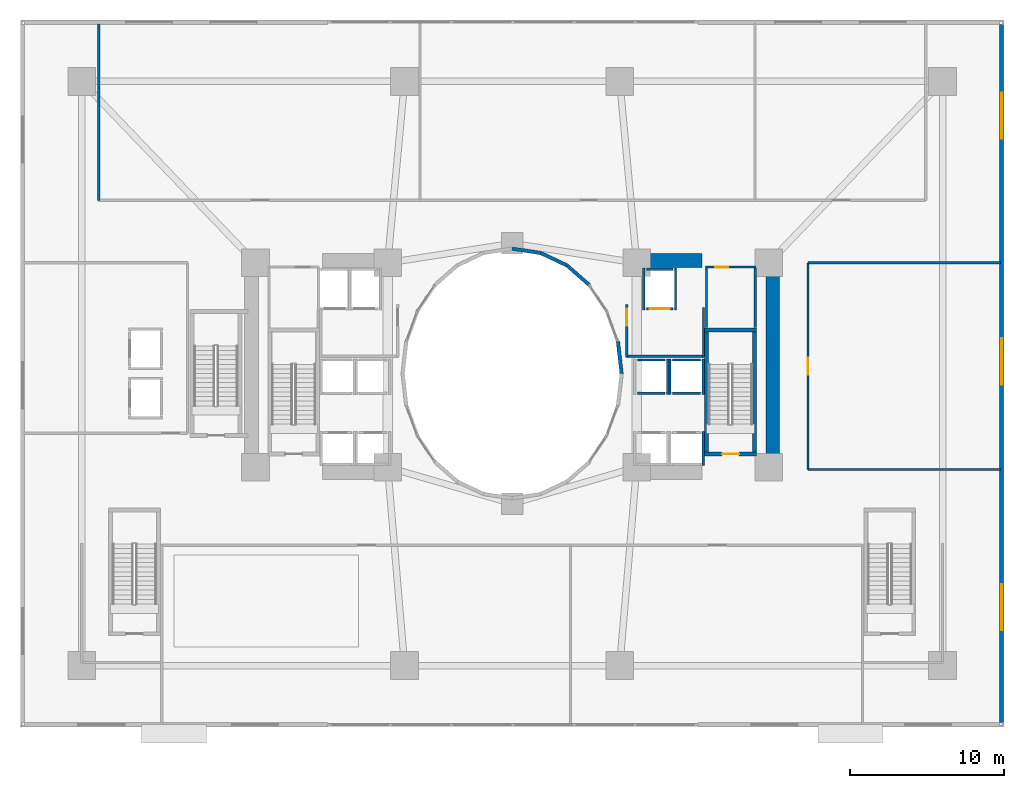
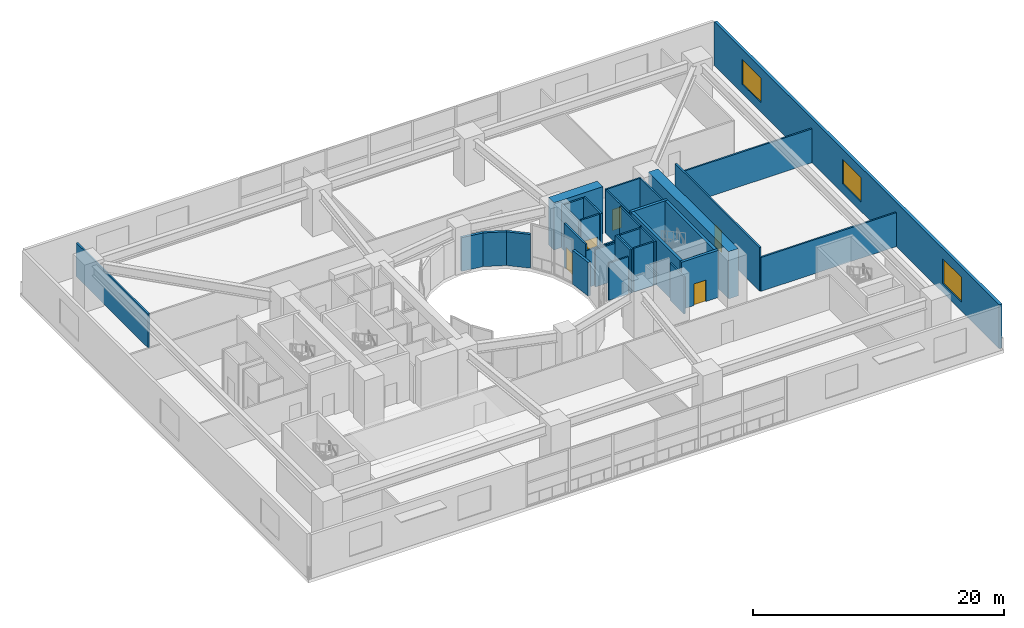
# One storey, part 17 of 25: 33 walls, 5 doors, 3 windows, 8 openings.
"""IFC4 building model written with IfcOpenShell, lengths in metres."""

from ifc_helpers import new_model, si_unit, direction, frame, frame_2d, origin, place, context, subcontext, project, spatial, rectangle, extrude, material, layer, layer_set, type_object, element, fill, save


model = new_model("IFC4")

# Units and contexts
model_context = context("Model", 3, precision=1e-05, world=origin(), true_north=direction((0.0, 1.0)))
body_context = subcontext(model_context, "Body", "Model", "MODEL_VIEW")
ifc_project = project(units=[si_unit("LENGTHUNIT", "METRE"), si_unit("AREAUNIT", "SQUARE_METRE"), si_unit("VOLUMEUNIT", "CUBIC_METRE"), si_unit("PLANEANGLEUNIT", "RADIAN"), si_unit("MASSUNIT", "GRAM", prefix="KILO")], contexts=[model_context])

# Site, building, storey
site_placement = place(None, origin())
site = spatial("IfcSite", under=ifc_project, at=site_placement, CompositionType="ELEMENT")
building_placement = place(site_placement, origin())
building = spatial("IfcBuilding", under=site, at=building_placement, Name="Solvane Sanctuary Tower", CompositionType="ELEMENT")
storey_placement = place(building_placement, frame((0.0, 0.0, 4.60009765625)))
storey = spatial("IfcBuildingStorey", under=building, at=storey_placement, Name="L02", CompositionType="ELEMENT", Elevation=4.60009765625)

# Walls
ifc_material_1 = material(Name="Concrete C70/85", Category="concrete")
ifc_layer_1 = layer(ifc_material_1, 0.89990234375, Name="Concrete C70/85")
ifc_layer_set_1 = layer_set([ifc_layer_1], Name="Concrete C70/85")
wall_type_1 = type_object("IfcWallType", Name="Wall W-CORE-900", PredefinedType="SHEAR", material=ifc_layer_set_1)
wall_1_placement = place(storey_placement, frame((48.949951171875, 17.050048828125, 0.0), z_axis=(0.0, 0.0, 1.0), x_axis=(0.0, 1.0, 0.0)))
element("IfcWall", 1, at=wall_1_placement, inside=storey, type_object=wall_type_1, Name="L02 Core Shear Wall EC-E", PredefinedType="SHEAR", context=body_context, shape_type="SweptSolid", body=[
    extrude(rectangle(XDim=12.800048828125, YDim=0.89990234375, at=frame_2d((6.39990234375, 0.0))), origin(), (0.0, 0.0, 1.0), 4.599853515625),
])
wall_2_placement = place(storey_placement, frame((39.85009765625, 30.35009765625, 0.0), z_axis=(0.0, 0.0, 1.0), x_axis=(1.0, 0.0, 0.0)))
element("IfcWall", 2, at=wall_2_placement, inside=storey, type_object=wall_type_1, Name="L02 Core Shear Wall EC-N", PredefinedType="SHEAR", context=body_context, shape_type="SweptSolid", body=[
    extrude(rectangle(XDim=4.5, YDim=0.89990234375, at=frame_2d((2.25, 0.0))), origin(), (0.0, 0.0, 1.0), 4.599853515625),
])
ifc_material_2 = material(Name="Acoustic Gypsum Partition Board")
ifc_layer_2 = layer(ifc_material_2, 0.14990234375, Name="Acoustic Gypsum Partition Board")
ifc_layer_set_2 = layer_set([ifc_layer_2], Name="Acoustic Gypsum Partition Board")
wall_type_2 = type_object("IfcWallType", Name="Wall W-CORR-150", PredefinedType="PARTITIONING", material=ifc_layer_set_2)
wall_3_placement = place(storey_placement, frame((39.39990234375, 24.1201171875, 0.0), z_axis=(0.0, 0.0, 1.0), x_axis=(1.0, 0.0, 0.0)))
element("IfcWall", 3, at=wall_3_placement, inside=storey, type_object=wall_type_2, Name="L02 East Firefighting Lobby South Wall", PredefinedType="PARTITIONING", context=body_context, shape_type="SweptSolid", body=[
    extrude(rectangle(XDim=5.080078125, YDim=0.14990234375, at=frame_2d((2.5400390625, 0.0))), origin(), (0.0, 0.0, 1.0), 3.619873046875),
])
wall_4_placement = place(storey_placement, frame((44.449951171875, 24.080078125, 0.0), z_axis=(0.0, 0.0, 1.0), x_axis=(0.0, 1.0, 0.0)))
element("IfcWall", 4, at=wall_4_placement, inside=storey, type_object=wall_type_2, Name="L02 East Firefighting Lobby East Wall", PredefinedType="PARTITIONING", context=body_context, shape_type="SweptSolid", body=[
    extrude(rectangle(XDim=3.199951171875, YDim=0.14990234375, at=frame_2d((1.60009765625, 0.0))), origin(), (0.0, 0.0, 1.0), 4.2548828125),
])

# Wall, opening, door
wall_5_placement = place(storey_placement, frame((39.449951171875, 24.080078125, 0.0), z_axis=(0.0, 0.0, 1.0), x_axis=(0.0, 1.0, 0.0)))
wall_5 = element("IfcWall", 5, at=wall_5_placement, inside=storey, type_object=wall_type_2, Name="L02 East Firefighting Lobby West Wall", PredefinedType="PARTITIONING", context=body_context, shape_type="SweptSolid", body=[
    extrude(rectangle(XDim=3.39990234375, YDim=0.14990234375, at=frame_2d((1.699951171875, 0.0))), origin(), (0.0, 0.0, 1.0), 4.2548828125),
])
opening_1_placement = place(wall_5_placement, frame((2.02001953125, 0.0, 0.0)))
opening_1 = element("IfcOpeningElement", 6, at=opening_1_placement, cuts=wall_5, Name="Opening D-L02-07", PredefinedType="OPENING", context=body_context, shape_type="SweptSolid", body=[
    extrude(rectangle(XDim=1.10009765625, YDim=2.10009765625, at=frame_2d((0.550048828125, 1.050048828125))), frame((0.0, 0.0849609375, 0.0), z_axis=(0.0, -1.0, 0.0), x_axis=(1.0, 0.0, 0.0)), (0.0, 0.0, 1.0), 0.169921875),
])
ifc_material_3 = material(Name="Architectural Stainless Steel 316", Category="steel")
door_type_1 = type_object("IfcDoorType", Name="Door D-FFL", OperationType="NOTDEFINED", PredefinedType="DOOR", material=ifc_material_3)
door_1_placement = place(opening_1_placement, origin())
door_1 = element("IfcDoor", 7, at=door_1_placement, inside=storey, type_object=door_type_1, Name="L02 East Firefighting Lobby Fire Door", OperationType="SINGLE_SWING_RIGHT", OverallHeight=2.10009765625, OverallWidth=1.10009765625, PredefinedType="DOOR", context=body_context, shape_type="SweptSolid", body=[
    extrude(rectangle(XDim=1.10009765625, YDim=2.10009765625, at=frame_2d((0.550048828125, 1.050048828125))), frame((0.0, 0.02490234375, 0.0), z_axis=(0.0, -1.0, 0.0), x_axis=(1.0, 0.0, 0.0)), (0.0, 0.0, 1.0), 0.050048828125),
])
fill(opening_1, door_1)

# Wall
wall_6_placement = place(storey_placement, frame((5.10009765625, 34.27001953125, 0.0), z_axis=(0.0, 0.0, 1.0), x_axis=(0.0, 1.0, 0.0)))
element("IfcWall", 8, at=wall_6_placement, inside=storey, type_object=wall_type_2, Name="L02 North Hall West Wall", PredefinedType="PARTITIONING", context=body_context, shape_type="SweptSolid", body=[
    extrude(rectangle(XDim=11.47998046875, YDim=0.14990234375, at=frame_2d((5.739990234375, 0.0))), origin(), (0.0, 0.0, 1.0), 3.2998046875),
])

# Wall, opening, door
wall_7_placement = place(storey_placement, frame((51.25, 16.75, 0.0), z_axis=(0.0, 0.0, 1.0), x_axis=(0.0, 1.0, 0.0)))
wall_7 = element("IfcWall", 9, at=wall_7_placement, inside=storey, type_object=wall_type_2, Name="L02 East Sanctuary Corridor Wall", PredefinedType="PARTITIONING", context=body_context, shape_type="SweptSolid", body=[
    extrude(rectangle(XDim=13.449951171875, YDim=0.14990234375, at=frame_2d((6.72509765625, 0.0))), origin(), (0.0, 0.0, 1.0), 4.2548828125),
])
opening_2_placement = place(wall_7_placement, frame((6.175048828125, 0.0, 0.0)))
opening_2 = element("IfcOpeningElement", 10, at=opening_2_placement, cuts=wall_7, Name="Opening D-L02-13", PredefinedType="OPENING", context=body_context, shape_type="SweptSolid", body=[
    extrude(rectangle(XDim=1.10009765625, YDim=2.10009765625, at=frame_2d((0.550048828125, 1.050048828125))), frame((0.0, 0.0849609375, 0.0), z_axis=(0.0, -1.0, 0.0), x_axis=(1.0, 0.0, 0.0)), (0.0, 0.0, 1.0), 0.169921875),
])
door_2_placement = place(opening_2_placement, origin())
door_2 = element("IfcDoor", 11, at=door_2_placement, inside=storey, type_object=door_type_1, Name="L02 IMAM Office Door", OperationType="SINGLE_SWING_RIGHT", OverallHeight=2.10009765625, OverallWidth=1.10009765625, PredefinedType="DOOR", context=body_context, shape_type="SweptSolid", body=[
    extrude(rectangle(XDim=1.10009765625, YDim=2.10009765625, at=frame_2d((0.550048828125, 1.050048828125))), frame((0.0, 0.02490234375, 0.0), z_axis=(0.0, -1.0, 0.0), x_axis=(1.0, 0.0, 0.0)), (0.0, 0.0, 1.0), 0.050048828125),
])
fill(opening_2, door_2)

# Walls
for number, where, z_axis, x_axis, name in (
    (12, (51.25, 16.75, 0.0), (0.0, 0.0, 1.0), (1.0, 0.0, 0.0), "L02 East Sanctuary South Wall"),
    (13, (51.25, 30.199951171875, 0.0), (0.0, 0.0, 1.0), (1.0, 0.0, 0.0), "L02 East Sanctuary North Wall"),
):
    element("IfcWall", number, at=place(storey_placement, frame(where, z_axis=z_axis, x_axis=x_axis)), inside=storey, type_object=wall_type_2, Name=name, PredefinedType="PARTITIONING", context=body_context, shape_type="SweptSolid", body=[
        extrude(rectangle(XDim=12.530029296875, YDim=0.14990234375, at=frame_2d((6.26513671875, 0.0))), origin(), (0.0, 0.0, 1.0), 3.2998046875),
    ])

# Wall, openings, windows
ifc_material_4 = material(Name="Precast concrete C40/50", Category="concrete")
ifc_layer_3 = layer(ifc_material_4, 0.260009765625, Name="Precast concrete C40/50")
ifc_layer_set_3 = layer_set([ifc_layer_3], Name="Precast concrete C40/50")
wall_type_3 = type_object("IfcWallType", Name="Wall W-EXT-250", PredefinedType="STANDARD", material=ifc_layer_set_3)
wall_8_placement = place(storey_placement, frame((63.85009765625, 0.280029296875, 0.0), z_axis=(0.0, 0.0, 1.0), x_axis=(0.0, 1.0, 0.0)))
wall_8 = element("IfcWall", 14, at=wall_8_placement, inside=storey, type_object=wall_type_3, Name="L02 Podium Facade Wall E1", PredefinedType="STANDARD", context=body_context, shape_type="SweptSolid", body=[
    extrude(rectangle(XDim=45.43994140625, YDim=0.260009765625, at=frame_2d((22.719970703125, 0.0))), origin(), (0.0, 0.0, 1.0), 4.27978515625),
])
opening_3_placement = place(wall_8_placement, frame((6.0, 0.0, 0.89990234375)))
opening_3 = element("IfcOpeningElement", 15, at=opening_3_placement, cuts=wall_8, Name="Opening WN-POD-3000", PredefinedType="OPENING", context=body_context, shape_type="SweptSolid", body=[
    extrude(rectangle(XDim=3.0, YDim=2.39990234375, at=frame_2d((1.5, 1.199951171875))), frame((0.0, 0.139892578125, 0.0), z_axis=(0.0, -1.0, 0.0), x_axis=(1.0, 0.0, 0.0)), (0.0, 0.0, 1.0), 0.280029296875),
])
opening_4_placement = place(wall_8_placement, frame((22.0, 0.0, 0.89990234375)))
opening_4 = element("IfcOpeningElement", 16, at=opening_4_placement, cuts=wall_8, Name="Opening WN-POD-3000", PredefinedType="OPENING", context=body_context, shape_type="SweptSolid", body=[
    extrude(rectangle(XDim=3.0, YDim=2.39990234375, at=frame_2d((1.5, 1.199951171875))), frame((0.0, 0.139892578125, 0.0), z_axis=(0.0, -1.0, 0.0), x_axis=(1.0, 0.0, 0.0)), (0.0, 0.0, 1.0), 0.280029296875),
])
opening_5_placement = place(wall_8_placement, frame((38.0, 0.0, 0.89990234375)))
opening_5 = element("IfcOpeningElement", 17, at=opening_5_placement, cuts=wall_8, Name="Opening WN-POD-3000", PredefinedType="OPENING", context=body_context, shape_type="SweptSolid", body=[
    extrude(rectangle(XDim=3.0, YDim=2.39990234375, at=frame_2d((1.5, 1.199951171875))), frame((0.0, 0.139892578125, 0.0), z_axis=(0.0, -1.0, 0.0), x_axis=(1.0, 0.0, 0.0)), (0.0, 0.0, 1.0), 0.280029296875),
])
ifc_material_5 = material(Name="Dark Ceramic-Fritted Low-E Glass", Category="glass")
window_type = type_object("IfcWindowType", Name="Window WN-POD-3000", PartitioningType="SINGLE_PANEL", PredefinedType="WINDOW", material=ifc_material_5)
window_1_placement = place(opening_3_placement, origin())
window_1 = element("IfcWindow", 18, at=window_1_placement, inside=storey, type_object=window_type, Name="L02 Podium Window E1-6", OverallHeight=2.39990234375, OverallWidth=3.0, PartitioningType="SINGLE_PANEL", PredefinedType="WINDOW", context=body_context, shape_type="SweptSolid", body=[
    extrude(rectangle(XDim=3.0, YDim=2.39990234375, at=frame_2d((1.5, 1.199951171875))), frame((0.0, 0.030029296875, 0.0), z_axis=(0.0, -1.0, 0.0), x_axis=(1.0, 0.0, 0.0)), (0.0, 0.0, 1.0), 0.06005859375),
])
fill(opening_3, window_1)
window_2_placement = place(opening_4_placement, origin())
window_2 = element("IfcWindow", 19, at=window_2_placement, inside=storey, type_object=window_type, Name="L02 Podium Window E1-22", OverallHeight=2.39990234375, OverallWidth=3.0, PartitioningType="SINGLE_PANEL", PredefinedType="WINDOW", context=body_context, shape_type="SweptSolid", body=[
    extrude(rectangle(XDim=3.0, YDim=2.39990234375, at=frame_2d((1.5, 1.199951171875))), frame((0.0, 0.030029296875, 0.0), z_axis=(0.0, -1.0, 0.0), x_axis=(1.0, 0.0, 0.0)), (0.0, 0.0, 1.0), 0.06005859375),
])
fill(opening_4, window_2)
window_3_placement = place(opening_5_placement, origin())
window_3 = element("IfcWindow", 20, at=window_3_placement, inside=storey, type_object=window_type, Name="L02 Podium Window E1-38", OverallHeight=2.39990234375, OverallWidth=3.0, PartitioningType="SINGLE_PANEL", PredefinedType="WINDOW", context=body_context, shape_type="SweptSolid", body=[
    extrude(rectangle(XDim=3.0, YDim=2.39990234375, at=frame_2d((1.5, 1.199951171875))), frame((0.0, 0.030029296875, 0.0), z_axis=(0.0, -1.0, 0.0), x_axis=(1.0, 0.0, 0.0)), (0.0, 0.0, 1.0), 0.06005859375),
])
fill(opening_5, window_3)

# Walls
ifc_layer_4 = layer(ifc_material_4, 0.22998046875, Name="Precast concrete C40/50")
ifc_layer_set_4 = layer_set([ifc_layer_4], Name="Precast concrete C40/50")
wall_type_4 = type_object("IfcWallType", Name="Wall W-EXT-SP220", PredefinedType="STANDARD", material=ifc_layer_set_4)
wall_9_placement = place(storey_placement, frame((39.1201171875, 23.0, 0.0), z_axis=(0.0, 0.0, 1.0), x_axis=(-0.114711713601, 0.993398823617, 0.0)))
element("IfcWall", 21, at=wall_9_placement, inside=storey, type_object=wall_type_4, Name="L02 Light-Well Enclosure Wall 00", PredefinedType="STANDARD", context=body_context, shape_type="SweptSolid", body=[
    extrude(rectangle(XDim=2.115478515625, YDim=0.22998046875, at=frame_2d((1.0576171875, 0.0))), origin(), (0.0, 0.0, 1.0), 3.27978515625),
])
wall_10_placement = place(storey_placement, frame((37.03466796875, 28.74169921875, 0.0), z_axis=(0.0, 0.0, 1.0), x_axis=(-0.752576694707, 0.658504607869, 0.0)))
element("IfcWall", 22, at=wall_10_placement, inside=storey, type_object=wall_type_4, Name="L02 Light-Well Enclosure Wall 03", PredefinedType="STANDARD", context=body_context, shape_type="SweptSolid", body=[
    extrude(rectangle(XDim=1.95947265625, YDim=0.22998046875, at=frame_2d((0.979736328125, 0.0))), origin(), (0.0, 0.0, 1.0), 3.27978515625),
])
wall_11_placement = place(storey_placement, frame((35.56005859375, 30.031982421875, 0.0), z_axis=(0.0, 0.0, 1.0), x_axis=(-0.904179699603, 0.427152280606, 0.0)))
element("IfcWall", 23, at=wall_11_placement, inside=storey, type_object=wall_type_4, Name="L02 Light-Well Enclosure Wall 04", PredefinedType="STANDARD", context=body_context, shape_type="SweptSolid", body=[
    extrude(rectangle(XDim=1.899169921875, YDim=0.22998046875, at=frame_2d((0.94970703125, 0.0))), origin(), (0.0, 0.0, 1.0), 3.27978515625),
])
wall_12_placement = place(storey_placement, frame((33.8427734375, 30.84326171875, 0.0), z_axis=(0.0, 0.0, 1.0), x_axis=(-0.988901730308, 0.148571086668, 0.0)))
element("IfcWall", 24, at=wall_12_placement, inside=storey, type_object=wall_type_4, Name="L02 Light-Well Enclosure Wall 05", PredefinedType="STANDARD", context=body_context, shape_type="SweptSolid", body=[
    extrude(rectangle(XDim=1.863525390625, YDim=0.22998046875, at=frame_2d((0.931640625, 0.0))), origin(), (0.0, 0.0, 1.0), 3.27978515625),
])
ifc_material_6 = material(Name="Concrete C50/60", Category="concrete")
ifc_layer_5 = layer(ifc_material_6, 0.14990234375, Name="Concrete C50/60")
ifc_layer_set_5 = layer_set([ifc_layer_5], Name="Concrete C50/60")
wall_type_5 = type_object("IfcWallType", Name="Wall W-SHAFT-150", PredefinedType="SOLIDWALL", material=ifc_layer_set_5)
wall_13_placement = place(storey_placement, frame((44.429931640625, 17.02001953125, 0.0), z_axis=(0.0, 0.0, 1.0), x_axis=(0.0, 1.0, 0.0)))
element("IfcWall", 25, at=wall_13_placement, inside=storey, type_object=wall_type_5, Name="L02 PL-4 Lift Shaft Wall S2", PredefinedType="SOLIDWALL", context=body_context, shape_type="SweptSolid", body=[
    extrude(rectangle(XDim=2.219970703125, YDim=0.14990234375, at=frame_2d((1.10986328125, 0.0))), origin(), (0.0, 0.0, 1.0), 3.619873046875),
])
for number, where, z_axis, x_axis, name in (
    (26, (42.43994140625, 21.719970703125, 0.0), (0.0, 0.0, 1.0), (1.0, 0.0, 0.0), "L02 PM-2 Lift Shaft Wall F"),
    (27, (42.43994140625, 23.8798828125, 0.0), (0.0, 0.0, 1.0), (1.0, 0.0, 0.0), "L02 PM-2 Lift Shaft Wall B"),
):
    element("IfcWall", number, at=place(storey_placement, frame(where, z_axis=z_axis, x_axis=x_axis)), inside=storey, type_object=wall_type_5, Name=name, PredefinedType="SOLIDWALL", context=body_context, shape_type="SweptSolid", body=[
        extrude(rectangle(XDim=1.820068359375, YDim=0.14990234375, at=frame_2d((0.91015625, 0.0))), origin(), (0.0, 0.0, 1.0), 4.2548828125),
    ])
for number, where, z_axis, x_axis, name in (
    (28, (42.27001953125, 21.639892578125, 0.0), (0.0, 0.0, 1.0), (0.0, 1.0, 0.0), "L02 PM-2 Lift Shaft Wall S1"),
    (29, (44.429931640625, 21.639892578125, 0.0), (0.0, 0.0, 1.0), (0.0, 1.0, 0.0), "L02 PM-2 Lift Shaft Wall S2"),
):
    element("IfcWall", number, at=place(storey_placement, frame(where, z_axis=z_axis, x_axis=x_axis)), inside=storey, type_object=wall_type_5, Name=name, PredefinedType="SOLIDWALL", context=body_context, shape_type="SweptSolid", body=[
        extrude(rectangle(XDim=2.320068359375, YDim=0.14990234375, at=frame_2d((1.16015625, 0.0))), origin(), (0.0, 0.0, 1.0), 4.2548828125),
    ])
for number, where, z_axis, x_axis, name in (
    (30, (40.139892578125, 21.719970703125, 0.0), (0.0, 0.0, 1.0), (1.0, 0.0, 0.0), "L02 PH-2 Lift Shaft Wall F"),
    (31, (40.139892578125, 23.8798828125, 0.0), (0.0, 0.0, 1.0), (1.0, 0.0, 0.0), "L02 PH-2 Lift Shaft Wall B"),
):
    element("IfcWall", number, at=place(storey_placement, frame(where, z_axis=z_axis, x_axis=x_axis)), inside=storey, type_object=wall_type_5, Name=name, PredefinedType="SOLIDWALL", context=body_context, shape_type="SweptSolid", body=[
        extrude(rectangle(XDim=1.820068359375, YDim=0.14990234375, at=frame_2d((0.91015625, 0.0))), origin(), (0.0, 0.0, 1.0), 3.619873046875),
    ])
wall_14_placement = place(storey_placement, frame((42.1298828125, 21.639892578125, 0.0), z_axis=(0.0, 0.0, 1.0), x_axis=(0.0, 1.0, 0.0)))
element("IfcWall", 32, at=wall_14_placement, inside=storey, type_object=wall_type_5, Name="L02 PH-2 Lift Shaft Wall S2", PredefinedType="SOLIDWALL", context=body_context, shape_type="SweptSolid", body=[
    extrude(rectangle(XDim=2.320068359375, YDim=0.14990234375, at=frame_2d((1.16015625, 0.0))), origin(), (0.0, 0.0, 1.0), 4.2548828125),
])

# Wall, opening, door
wall_15_placement = place(storey_placement, frame((40.739990234375, 27.219970703125, 0.0), z_axis=(0.0, 0.0, 1.0), x_axis=(1.0, 0.0, 0.0)))
wall_15 = element("IfcWall", 33, at=wall_15_placement, inside=storey, type_object=wall_type_5, Name="L02 FFL-2 Lift Shaft Wall F", PredefinedType="SOLIDWALL", context=body_context, shape_type="SweptSolid", body=[
    extrude(rectangle(XDim=1.719970703125, YDim=0.14990234375, at=frame_2d((0.85986328125, 0.0))), origin(), (0.0, 0.0, 1.0), 4.2548828125),
])
opening_6_placement = place(wall_15_placement, frame((0.2099609375, 0.0, 0.0)))
opening_6 = element("IfcOpeningElement", 34, at=opening_6_placement, cuts=wall_15, Name="Opening LD-L02-07", PredefinedType="OPENING", context=body_context, shape_type="SweptSolid", body=[
    extrude(rectangle(XDim=1.300048828125, YDim=2.10009765625, at=frame_2d((0.64990234375, 1.050048828125))), frame((0.0, 0.0849609375, 0.0), z_axis=(0.0, -1.0, 0.0), x_axis=(1.0, 0.0, 0.0)), (0.0, 0.0, 1.0), 0.169921875),
])
door_type_2 = type_object("IfcDoorType", Name="Door LD-FFL-1300", OperationType="NOTDEFINED", PredefinedType="DOOR", material=ifc_material_3)
door_3_placement = place(opening_6_placement, origin())
door_3 = element("IfcDoor", 35, at=door_3_placement, inside=storey, type_object=door_type_2, Name="L02 FFL-2 Lift Landing Door", OperationType="DOUBLE_DOOR_SLIDING", OverallHeight=2.10009765625, OverallWidth=1.300048828125, PredefinedType="DOOR", context=body_context, shape_type="SweptSolid", body=[
    extrude(rectangle(XDim=1.300048828125, YDim=2.10009765625, at=frame_2d((0.64990234375, 1.050048828125))), frame((0.0, 0.02490234375, 0.0), z_axis=(0.0, -1.0, 0.0), x_axis=(1.0, 0.0, 0.0)), (0.0, 0.0, 1.0), 0.050048828125),
])
fill(opening_6, door_3)

# Walls
wall_16_placement = place(storey_placement, frame((40.739990234375, 29.780029296875, 0.0), z_axis=(0.0, 0.0, 1.0), x_axis=(1.0, 0.0, 0.0)))
element("IfcWall", 36, at=wall_16_placement, inside=storey, type_object=wall_type_5, Name="L02 FFL-2 Lift Shaft Wall B", PredefinedType="SOLIDWALL", context=body_context, shape_type="SweptSolid", body=[
    extrude(rectangle(XDim=1.719970703125, YDim=0.14990234375, at=frame_2d((0.85986328125, 0.0))), origin(), (0.0, 0.0, 1.0), 4.2548828125),
])
for number, where, z_axis, x_axis, name in (
    (37, (40.570068359375, 27.139892578125, 0.0), (0.0, 0.0, 1.0), (0.0, 1.0, 0.0), "L02 FFL-2 Lift Shaft Wall S1"),
    (38, (42.6298828125, 27.139892578125, 0.0), (0.0, 0.0, 1.0), (0.0, 1.0, 0.0), "L02 FFL-2 Lift Shaft Wall S2"),
):
    element("IfcWall", number, at=place(storey_placement, frame(where, z_axis=z_axis, x_axis=x_axis)), inside=storey, type_object=wall_type_5, Name=name, PredefinedType="SOLIDWALL", context=body_context, shape_type="SweptSolid", body=[
        extrude(rectangle(XDim=2.72021484375, YDim=0.14990234375, at=frame_2d((1.360107421875, 0.0))), origin(), (0.0, 0.0, 1.0), 4.2548828125),
    ])

# Wall, opening, door
ifc_layer_6 = layer(ifc_material_6, 0.25, Name="Concrete C50/60")
ifc_layer_set_6 = layer_set([ifc_layer_6], Name="Concrete C50/60")
wall_type_6 = type_object("IfcWallType", Name="Wall W-SHAFT-250", PredefinedType="SOLIDWALL", material=ifc_layer_set_6)
wall_17_placement = place(storey_placement, frame((44.52490234375, 17.77001953125, 0.0), z_axis=(0.0, 0.0, 1.0), x_axis=(1.0, 0.0, 0.0)))
wall_17 = element("IfcWall", 39, at=wall_17_placement, inside=storey, type_object=wall_type_6, Name="L02 ST-2 Load-Bearing Shaft Wall S", PredefinedType="SOLIDWALL", context=body_context, shape_type="SweptSolid", body=[
    extrude(rectangle(XDim=3.3701171875, YDim=0.25, at=frame_2d((1.68505859375, 0.0))), origin(), (0.0, 0.0, 1.0), 4.599853515625),
])
opening_7_placement = place(wall_17_placement, frame((1.135009765625, 0.0, 0.0)))
opening_7 = element("IfcOpeningElement", 40, at=opening_7_placement, cuts=wall_17, Name="Opening D-L02-02", PredefinedType="OPENING", context=body_context, shape_type="SweptSolid", body=[
    extrude(rectangle(XDim=1.10009765625, YDim=2.10009765625, at=frame_2d((0.550048828125, 1.050048828125))), frame((0.0, 0.135009765625, 0.0), z_axis=(0.0, -1.0, 0.0), x_axis=(1.0, 0.0, 0.0)), (0.0, 0.0, 1.0), 0.27001953125),
])
door_type_3 = type_object("IfcDoorType", Name="Door D-STAIR", OperationType="NOTDEFINED", PredefinedType="DOOR", material=ifc_material_3)
door_4_placement = place(opening_7_placement, origin())
door_4 = element("IfcDoor", 41, at=door_4_placement, inside=storey, type_object=door_type_3, Name="L02 ST-2 Exit Stair Fire Door", OperationType="SINGLE_SWING_LEFT", OverallHeight=2.10009765625, OverallWidth=1.10009765625, PredefinedType="DOOR", context=body_context, shape_type="SweptSolid", body=[
    extrude(rectangle(XDim=1.10009765625, YDim=2.10009765625, at=frame_2d((0.550048828125, 1.050048828125))), frame((0.0, 0.02490234375, 0.0), z_axis=(0.0, -1.0, 0.0), x_axis=(1.0, 0.0, 0.0)), (0.0, 0.0, 1.0), 0.050048828125),
])
fill(opening_7, door_4)

# Walls
wall_18_placement = place(storey_placement, frame((44.52490234375, 25.830078125, 0.0), z_axis=(0.0, 0.0, 1.0), x_axis=(1.0, 0.0, 0.0)))
element("IfcWall", 42, at=wall_18_placement, inside=storey, type_object=wall_type_6, Name="L02 ST-2 Load-Bearing Shaft Wall N", PredefinedType="SOLIDWALL", context=body_context, shape_type="SweptSolid", body=[
    extrude(rectangle(XDim=3.3701171875, YDim=0.25, at=frame_2d((1.68505859375, 0.0))), origin(), (0.0, 0.0, 1.0), 4.599853515625),
])
for number, where, z_axis, x_axis, name in (
    (43, (44.64990234375, 17.89501953125, 0.0), (0.0, 0.0, 1.0), (0.0, 1.0, 0.0), "L02 ST-2 Load-Bearing Shaft Wall W"),
    (44, (47.77001953125, 17.89501953125, 0.0), (0.0, 0.0, 1.0), (0.0, 1.0, 0.0), "L02 ST-2 Load-Bearing Shaft Wall E"),
):
    element("IfcWall", number, at=place(storey_placement, frame(where, z_axis=z_axis, x_axis=x_axis)), inside=storey, type_object=wall_type_6, Name=name, PredefinedType="SOLIDWALL", context=body_context, shape_type="SweptSolid", body=[
        extrude(rectangle(XDim=7.81005859375, YDim=0.25, at=frame_2d((3.905029296875, 0.0))), origin(), (0.0, 0.0, 1.0), 4.599853515625),
    ])

# Wall, opening, door
ifc_layer_7 = layer(ifc_material_2, 0.139892578125, Name="Acoustic Gypsum Partition Board")
ifc_layer_set_7 = layer_set([ifc_layer_7], Name="Acoustic Gypsum Partition Board")
wall_type_7 = type_object("IfcWallType", Name="Wall W-WET-140", PredefinedType="PLUMBINGWALL", material=ifc_layer_set_7)
wall_19_placement = place(storey_placement, frame((44.580078125, 29.919921875, 0.0), z_axis=(0.0, 0.0, 1.0), x_axis=(1.0, 0.0, 0.0)))
wall_19 = element("IfcWall", 45, at=wall_19_placement, inside=storey, type_object=wall_type_7, Name="L02 Core Store Front Wall", PredefinedType="PLUMBINGWALL", context=body_context, shape_type="SweptSolid", body=[
    extrude(rectangle(XDim=3.2998046875, YDim=0.139892578125, at=frame_2d((1.64990234375, 0.0))), origin(), (0.0, 0.0, 1.0), 4.2548828125),
])
opening_8_placement = place(wall_19_placement, frame((0.643310546875, 0.0, 0.0)))
opening_8 = element("IfcOpeningElement", 46, at=opening_8_placement, cuts=wall_19, Name="Opening D-L02-16", PredefinedType="OPENING", context=body_context, shape_type="SweptSolid", body=[
    extrude(rectangle(XDim=0.85009765625, YDim=2.050048828125, at=frame_2d((0.425048828125, 1.02490234375))), frame((0.0, 0.079833984375, 0.0), z_axis=(0.0, -1.0, 0.0), x_axis=(1.0, 0.0, 0.0)), (0.0, 0.0, 1.0), 0.159912109375),
])
door_type_4 = type_object("IfcDoorType", Name="Door D-RISER", OperationType="NOTDEFINED", PredefinedType="DOOR", material=ifc_material_3)
door_5_placement = place(opening_8_placement, origin())
door_5 = element("IfcDoor", 47, at=door_5_placement, inside=storey, type_object=door_type_4, Name="L02 Core Store Door", OperationType="SINGLE_SWING_LEFT", OverallHeight=2.050048828125, OverallWidth=0.85009765625, PredefinedType="DOOR", context=body_context, shape_type="SweptSolid", body=[
    extrude(rectangle(XDim=0.85009765625, YDim=2.050048828125, at=frame_2d((0.425048828125, 1.02490234375))), frame((0.0, 0.02490234375, 0.0), z_axis=(0.0, -1.0, 0.0), x_axis=(1.0, 0.0, 0.0)), (0.0, 0.0, 1.0), 0.050048828125),
])
fill(opening_8, door_5)

# Walls
for number, where, z_axis, x_axis, name in (
    (48, (44.639892578125, 25.97998046875, 0.0), (0.0, 0.0, 1.0), (0.0, 1.0, 0.0), "L02 Core Store West Wall"),
    (49, (47.820068359375, 25.97998046875, 0.0), (0.0, 0.0, 1.0), (0.0, 1.0, 0.0), "L02 Core Store East Wall"),
):
    element("IfcWall", number, at=place(storey_placement, frame(where, z_axis=z_axis, x_axis=x_axis)), inside=storey, type_object=wall_type_7, Name=name, PredefinedType="PLUMBINGWALL", context=body_context, shape_type="SweptSolid", body=[
        extrude(rectangle(XDim=3.880126953125, YDim=0.139892578125, at=frame_2d((1.93994140625, 0.0))), origin(), (0.0, 0.0, 1.0), 4.2548828125),
    ])

save(model, "model.ifc")
